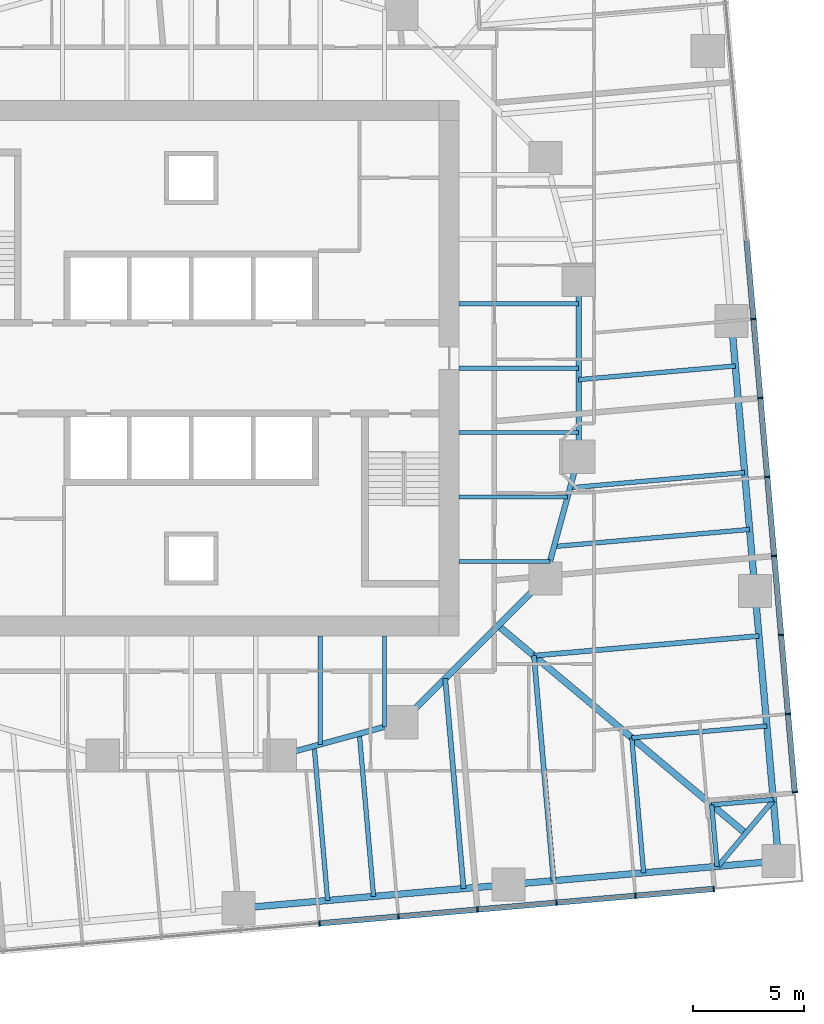
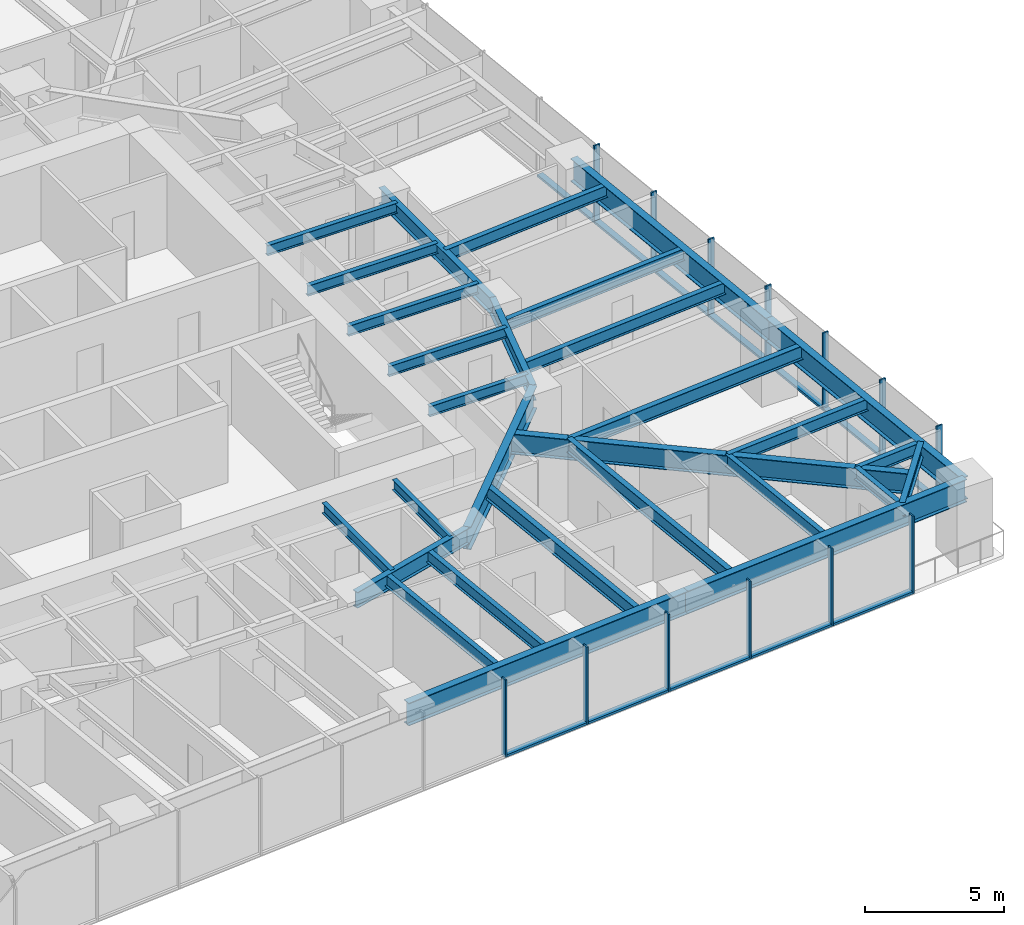
# One storey, part 4 of 14: 29 beams, 25 members, 2 elements without a shape of their own.
"""IFC4 building model written with IfcOpenShell, lengths in metres."""

from ifc_helpers import new_model, si_unit, direction, frame, origin, origin_2d, place, context, subcontext, project, spatial, rectangle, i_section, extrude, material, material_profile, profile_set, type_object, element, aggregate, save


model = new_model("IFC4")

# Units and contexts
model_context = context("Model", 3, precision=1e-05, world=origin(), true_north=direction((0.0, 1.0)))
body_context = subcontext(model_context, "Body", "Model", "MODEL_VIEW")
ifc_project = project(units=[si_unit("LENGTHUNIT", "METRE"), si_unit("AREAUNIT", "SQUARE_METRE"), si_unit("VOLUMEUNIT", "CUBIC_METRE"), si_unit("PLANEANGLEUNIT", "RADIAN"), si_unit("MASSUNIT", "GRAM", prefix="KILO")], contexts=[model_context])

# Site, building, storey
site_placement = place(None, origin())
site = spatial("IfcSite", under=ifc_project, at=site_placement, CompositionType="ELEMENT")
building_placement = place(site_placement, origin())
building = spatial("IfcBuilding", under=site, at=building_placement, Name="Torsade Residences", CompositionType="ELEMENT")
storey_placement = place(building_placement, frame((0.0, 0.0, 67.60009765625)))
storey = spatial("IfcBuildingStorey", under=building, at=storey_placement, Name="L18", CompositionType="ELEMENT", Elevation=67.60009765625)

# Beams
ifc_material_1 = material(Name="Steel grade 300", Category="steel")
ifc_material_profile_1 = material_profile(ifc_material_1, i_section(OverallWidth=0.300048828125, OverallDepth=0.89990234375, WebThickness=0.011962890625, FlangeThickness=0.02490234375, at=origin_2d()), Name="900WB175")
ifc_profile_set_1 = profile_set([ifc_material_profile_1], Name="Steel grade 300")
beam_type_1 = type_object("IfcBeamType", Name="CORNER GIRDER 900WB175", PredefinedType="BEAM", material=ifc_profile_set_1)
beam_1_placement = place(storey_placement, frame((65.052490234375, 8.978515625, 2.7998046875), z_axis=(-0.766046281307, 0.642785419012, 0.0), x_axis=(-0.642785419012, -0.766046281307, 0.0)))
element("IfcBeam", 1, at=beam_1_placement, inside=storey, type_object=beam_type_1, Name="Corner girder 05 L19", PredefinedType="BEAM", context=body_context, shape_type="SweptSolid", body=[
    extrude(i_section(OverallWidth=0.300048828125, OverallDepth=0.89990234375, WebThickness=0.011962890625, FlangeThickness=0.02490234375, at=origin_2d()), origin(), (0.0, 0.0, 1.0), 14.603515625),
])
ifc_material_2 = material(Name="Steel grade 300", Category="steel")
ifc_material_profile_2 = material_profile(ifc_material_2, i_section(OverallWidth=0.22802734375, OverallDepth=0.60205078125, WebThickness=0.010498046875, FlangeThickness=0.014892578125, FilletRadius=0.013916015625, at=origin_2d()), Name="610UB101")
ifc_profile_set_2 = profile_set([ifc_material_profile_2], Name="Steel grade 300")
beam_type_2 = type_object("IfcBeamType", Name="CORNER TRIMMER 610UB101", PredefinedType="BEAM", material=ifc_profile_set_2)
beam_2_placement = place(storey_placement, frame((66.302490234375, 10.468017578125, 2.948974609375), z_axis=(-0.642804819911, -0.766030001697, 0.0), x_axis=(0.766030001697, -0.642804819911, 0.0)))
element("IfcBeam", 2, at=beam_2_placement, inside=storey, type_object=beam_type_2, Name="Corner trimmer 05 L19", PredefinedType="BEAM", context=body_context, shape_type="SweptSolid", body=[
    extrude(i_section(OverallWidth=0.22802734375, OverallDepth=0.60205078125, WebThickness=0.010498046875, FlangeThickness=0.014892578125, FilletRadius=0.013916015625, at=origin_2d()), origin(), (0.0, 0.0, 1.0), 3.88916015625),
])

# Curtain wall, members
ifc_material_3 = material(Name="Aluminium and glass", Category="aluminium")
curtain_wall_type = type_object("IfcCurtainWallType", Name="FRITTED GLASS CURTAIN WALL LOW ZONE", PredefinedType="NOTDEFINED", material=ifc_material_3)
curtain_wall_1_placement = place(storey_placement, origin())
curtain_wall_1 = element("IfcCurtainWall", 3, at=curtain_wall_1_placement, inside=storey, type_object=curtain_wall_type, Name="Curtain wall L18 face 1", PredefinedType="NOTDEFINED")
ifc_material_4 = material(Name="Aluminium mullion", Category="aluminium")
ifc_material_profile_3 = material_profile(ifc_material_4, rectangle(XDim=0.25, YDim=0.06494140625, at=origin_2d()), Name="CURTAIN WALL MULLION 250x65")
ifc_profile_set_3 = profile_set([ifc_material_profile_3], Name="Aluminium mullion")
member_type_1 = type_object("IfcMemberType", Name="CURTAIN WALL MULLION 250x65", PredefinedType="MULLION", material=ifc_profile_set_3)
member_1_placement = place(storey_placement, frame((45.792236328125, 4.909423828125, 0.0), z_axis=(0.0, 0.0, 1.0), x_axis=(-0.087155744208, 0.996194697964, 0.0)))
member_1 = element("IfcMember", 4, at=member_1_placement, type_object=member_type_1, Name="Mullion 8", PredefinedType="MULLION", context=body_context, shape_type="SweptSolid", body=[
    extrude(rectangle(XDim=0.25, YDim=0.06494140625, at=origin_2d()), origin(), (0.0, 0.0, 1.0), 3.39990234375),
])
member_2_placement = place(storey_placement, frame((49.36181640625, 5.2216796875, 0.0), z_axis=(0.0, 0.0, 1.0), x_axis=(-0.087155744208, 0.996194697964, 0.0)))
member_2 = element("IfcMember", 5, at=member_2_placement, type_object=member_type_1, Name="Mullion 9", PredefinedType="MULLION", context=body_context, shape_type="SweptSolid", body=[
    extrude(rectangle(XDim=0.25, YDim=0.06494140625, at=origin_2d()), origin(), (0.0, 0.0, 1.0), 3.39990234375),
])
member_3_placement = place(storey_placement, frame((52.931640625, 5.533935546875, 0.0), z_axis=(0.0, 0.0, 1.0), x_axis=(-0.087155744208, 0.996194697964, 0.0)))
member_3 = element("IfcMember", 6, at=member_3_placement, type_object=member_type_1, Name="Mullion 10", PredefinedType="MULLION", context=body_context, shape_type="SweptSolid", body=[
    extrude(rectangle(XDim=0.25, YDim=0.06494140625, at=origin_2d()), origin(), (0.0, 0.0, 1.0), 3.39990234375),
])
member_4_placement = place(storey_placement, frame((56.501220703125, 5.84619140625, 0.0), z_axis=(0.0, 0.0, 1.0), x_axis=(-0.087155744208, 0.996194697964, 0.0)))
member_4 = element("IfcMember", 7, at=member_4_placement, type_object=member_type_1, Name="Mullion 11", PredefinedType="MULLION", context=body_context, shape_type="SweptSolid", body=[
    extrude(rectangle(XDim=0.25, YDim=0.06494140625, at=origin_2d()), origin(), (0.0, 0.0, 1.0), 3.39990234375),
])
member_5_placement = place(storey_placement, frame((60.071044921875, 6.15869140625, 0.0), z_axis=(0.0, 0.0, 1.0), x_axis=(-0.087155744208, 0.996194697964, 0.0)))
member_5 = element("IfcMember", 8, at=member_5_placement, type_object=member_type_1, Name="Mullion 12", PredefinedType="MULLION", context=body_context, shape_type="SweptSolid", body=[
    extrude(rectangle(XDim=0.25, YDim=0.06494140625, at=origin_2d()), origin(), (0.0, 0.0, 1.0), 3.39990234375),
])
member_6_placement = place(storey_placement, frame((63.6083984375, 6.468017578125, 0.0), z_axis=(0.0, 0.0, 1.0), x_axis=(-0.087155744208, 0.996194697964, 0.0)))
member_6 = element("IfcMember", 9, at=member_6_placement, type_object=member_type_1, Name="Mullion 13", PredefinedType="MULLION", context=body_context, shape_type="SweptSolid", body=[
    extrude(rectangle(XDim=0.25, YDim=0.06494140625, at=origin_2d()), origin(), (0.0, 0.0, 1.0), 3.39990234375),
])

curtain_wall_2_placement = place(storey_placement, origin())
curtain_wall_2 = element("IfcCurtainWall", 10, at=curtain_wall_2_placement, inside=storey, type_object=curtain_wall_type, Name="Curtain wall L18 face 4", PredefinedType="NOTDEFINED")
member_7_placement = place(storey_placement, frame((67.27392578125, 10.836669921875, 0.0), z_axis=(0.0, 0.0, 1.0), x_axis=(-0.996194697964, -0.087155744208, 0.0)))
member_7 = element("IfcMember", 11, at=member_7_placement, type_object=member_type_1, Name="Mullion 1", PredefinedType="MULLION", context=body_context, shape_type="SweptSolid", body=[
    extrude(rectangle(XDim=0.25, YDim=0.06494140625, at=origin_2d()), origin(), (0.0, 0.0, 1.0), 3.39990234375),
])
member_8_placement = place(storey_placement, frame((66.964599609375, 14.3740234375, 0.0), z_axis=(0.0, 0.0, 1.0), x_axis=(-0.996194697964, -0.087155744208, 0.0)))
member_8 = element("IfcMember", 12, at=member_8_placement, type_object=member_type_1, Name="Mullion 2", PredefinedType="MULLION", context=body_context, shape_type="SweptSolid", body=[
    extrude(rectangle(XDim=0.25, YDim=0.06494140625, at=origin_2d()), origin(), (0.0, 0.0, 1.0), 3.39990234375),
])
member_9_placement = place(storey_placement, frame((66.652099609375, 17.943603515625, 0.0), z_axis=(0.0, 0.0, 1.0), x_axis=(-0.996194697964, -0.087155744208, 0.0)))
member_9 = element("IfcMember", 13, at=member_9_placement, type_object=member_type_1, Name="Mullion 3", PredefinedType="MULLION", context=body_context, shape_type="SweptSolid", body=[
    extrude(rectangle(XDim=0.25, YDim=0.06494140625, at=origin_2d()), origin(), (0.0, 0.0, 1.0), 3.39990234375),
])
member_10_placement = place(storey_placement, frame((66.33984375, 21.513427734375, 0.0), z_axis=(0.0, 0.0, 1.0), x_axis=(-0.996194697964, -0.087155744208, 0.0)))
member_10 = element("IfcMember", 14, at=member_10_placement, type_object=member_type_1, Name="Mullion 4", PredefinedType="MULLION", context=body_context, shape_type="SweptSolid", body=[
    extrude(rectangle(XDim=0.25, YDim=0.06494140625, at=origin_2d()), origin(), (0.0, 0.0, 1.0), 3.39990234375),
])
member_11_placement = place(storey_placement, frame((66.027587890625, 25.0830078125, 0.0), z_axis=(0.0, 0.0, 1.0), x_axis=(-0.996194697964, -0.087155744208, 0.0)))
member_11 = element("IfcMember", 15, at=member_11_placement, type_object=member_type_1, Name="Mullion 5", PredefinedType="MULLION", context=body_context, shape_type="SweptSolid", body=[
    extrude(rectangle(XDim=0.25, YDim=0.06494140625, at=origin_2d()), origin(), (0.0, 0.0, 1.0), 3.39990234375),
])
member_12_placement = place(storey_placement, frame((65.71533203125, 28.65283203125, 0.0), z_axis=(0.0, 0.0, 1.0), x_axis=(-0.996194697964, -0.087155744208, 0.0)))
member_12 = element("IfcMember", 16, at=member_12_placement, type_object=member_type_1, Name="Mullion 6", PredefinedType="MULLION", context=body_context, shape_type="SweptSolid", body=[
    extrude(rectangle(XDim=0.25, YDim=0.06494140625, at=origin_2d()), origin(), (0.0, 0.0, 1.0), 3.39990234375),
])
member_13_placement = place(storey_placement, frame((65.403076171875, 32.222412109375, 0.0), z_axis=(0.0, 0.0, 1.0), x_axis=(-0.996194697964, -0.087155744208, 0.0)))
member_13 = element("IfcMember", 17, at=member_13_placement, type_object=member_type_1, Name="Mullion 7", PredefinedType="MULLION", context=body_context, shape_type="SweptSolid", body=[
    extrude(rectangle(XDim=0.25, YDim=0.06494140625, at=origin_2d()), origin(), (0.0, 0.0, 1.0), 3.39990234375),
])

# Member
ifc_material_5 = material(Name="Aluminium transom", Category="aluminium")
ifc_material_profile_4 = material_profile(ifc_material_5, rectangle(XDim=0.25, YDim=0.10009765625, at=origin_2d()), Name="CURTAIN WALL TRANSOM 250x100")
ifc_profile_set_4 = profile_set([ifc_material_profile_4], Name="Aluminium transom")
member_type_2 = type_object("IfcMemberType", Name="CURTAIN WALL TRANSOM 250x100", PredefinedType="USERDEFINED", material=ifc_profile_set_4)
member_14_placement = place(storey_placement, frame((45.824462890625, 4.912109375, 0.0498046875), z_axis=(0.996195148363, 0.08715059597, 0.0), x_axis=(-0.08715059597, 0.996195148363, 0.0)))
member_14 = element("IfcMember", 18, at=member_14_placement, type_object=member_type_2, Name="Transom 8.1", ObjectType="TRANSOM", PredefinedType="USERDEFINED", context=body_context, shape_type="SweptSolid", body=[
    extrude(rectangle(XDim=0.25, YDim=0.10009765625, at=origin_2d()), origin(), (0.0, 0.0, 1.0), 3.5185546875),
])

member_15_placement = place(storey_placement, frame((49.394287109375, 5.224365234375, 0.0498046875), z_axis=(0.996194621295, 0.087156620531, 0.0), x_axis=(-0.087156620531, 0.996194621295, 0.0)))
member_15 = element("IfcMember", 19, at=member_15_placement, type_object=member_type_2, Name="Transom 9.1", ObjectType="TRANSOM", PredefinedType="USERDEFINED", context=body_context, shape_type="SweptSolid", body=[
    extrude(rectangle(XDim=0.25, YDim=0.10009765625, at=origin_2d()), origin(), (0.0, 0.0, 1.0), 3.518310546875),
])

member_16_placement = place(storey_placement, frame((52.9638671875, 5.536865234375, 0.0498046875), z_axis=(0.996195148363, 0.08715059597, 0.0), x_axis=(-0.08715059597, 0.996195148363, 0.0)))
member_16 = element("IfcMember", 20, at=member_16_placement, type_object=member_type_2, Name="Transom 10.1", ObjectType="TRANSOM", PredefinedType="USERDEFINED", context=body_context, shape_type="SweptSolid", body=[
    extrude(rectangle(XDim=0.25, YDim=0.10009765625, at=origin_2d()), origin(), (0.0, 0.0, 1.0), 3.5185546875),
])

member_17_placement = place(storey_placement, frame((56.53369140625, 5.84912109375, 0.0498046875), z_axis=(0.996194621295, 0.087156620531, 0.0), x_axis=(-0.087156620531, 0.996194621295, 0.0)))
member_17 = element("IfcMember", 21, at=member_17_placement, type_object=member_type_2, Name="Transom 11.1", ObjectType="TRANSOM", PredefinedType="USERDEFINED", context=body_context, shape_type="SweptSolid", body=[
    extrude(rectangle(XDim=0.25, YDim=0.10009765625, at=origin_2d()), origin(), (0.0, 0.0, 1.0), 3.518310546875),
])

member_18_placement = place(storey_placement, frame((60.103271484375, 6.161376953125, 0.0498046875), z_axis=(0.996191284475, 0.08719475177, 0.0), x_axis=(-0.08719475177, 0.996191284475, 0.0)))
member_18 = element("IfcMember", 22, at=member_18_placement, type_object=member_type_2, Name="Transom 12.1", ObjectType="TRANSOM", PredefinedType="USERDEFINED", context=body_context, shape_type="SweptSolid", body=[
    extrude(rectangle(XDim=0.25, YDim=0.10009765625, at=origin_2d()), origin(), (0.0, 0.0, 1.0), 3.48583984375),
])

aggregate(curtain_wall_1, [member_1, member_2, member_3, member_4, member_5, member_6, member_14, member_15, member_16, member_17, member_18])

member_19_placement = place(storey_placement, frame((67.271240234375, 10.869140625, 0.0498046875), z_axis=(-0.0872008357, 0.996190751941, 0.0), x_axis=(-0.996190751941, -0.0872008357, 0.0)))
member_19 = element("IfcMember", 23, at=member_19_placement, type_object=member_type_2, Name="Transom 1.1", ObjectType="TRANSOM", PredefinedType="USERDEFINED", context=body_context, shape_type="SweptSolid", body=[
    extrude(rectangle(XDim=0.25, YDim=0.10009765625, at=origin_2d()), origin(), (0.0, 0.0, 1.0), 3.485595703125),
])

member_20_placement = place(storey_placement, frame((66.961669921875, 14.40625, 0.0498046875), z_axis=(-0.08715059597, 0.996195148363, 0.0), x_axis=(-0.996195148363, -0.08715059597, 0.0)))
member_20 = element("IfcMember", 24, at=member_20_placement, type_object=member_type_2, Name="Transom 2.1", ObjectType="TRANSOM", PredefinedType="USERDEFINED", context=body_context, shape_type="SweptSolid", body=[
    extrude(rectangle(XDim=0.25, YDim=0.10009765625, at=origin_2d()), origin(), (0.0, 0.0, 1.0), 3.5185546875),
])

member_21_placement = place(storey_placement, frame((66.6494140625, 17.97607421875, 0.0498046875), z_axis=(-0.087156620531, 0.996194621295, 0.0), x_axis=(-0.996194621295, -0.087156620531, 0.0)))
member_21 = element("IfcMember", 25, at=member_21_placement, type_object=member_type_2, Name="Transom 3.1", ObjectType="TRANSOM", PredefinedType="USERDEFINED", context=body_context, shape_type="SweptSolid", body=[
    extrude(rectangle(XDim=0.25, YDim=0.10009765625, at=origin_2d()), origin(), (0.0, 0.0, 1.0), 3.518310546875),
])

member_22_placement = place(storey_placement, frame((66.337158203125, 21.545654296875, 0.0498046875), z_axis=(-0.08715059597, 0.996195148363, 0.0), x_axis=(-0.996195148363, -0.08715059597, 0.0)))
member_22 = element("IfcMember", 26, at=member_22_placement, type_object=member_type_2, Name="Transom 4.1", ObjectType="TRANSOM", PredefinedType="USERDEFINED", context=body_context, shape_type="SweptSolid", body=[
    extrude(rectangle(XDim=0.25, YDim=0.10009765625, at=origin_2d()), origin(), (0.0, 0.0, 1.0), 3.5185546875),
])

member_23_placement = place(storey_placement, frame((66.024658203125, 25.115478515625, 0.0498046875), z_axis=(-0.087156620531, 0.996194621295, 0.0), x_axis=(-0.996194621295, -0.087156620531, 0.0)))
member_23 = element("IfcMember", 27, at=member_23_placement, type_object=member_type_2, Name="Transom 5.1", ObjectType="TRANSOM", PredefinedType="USERDEFINED", context=body_context, shape_type="SweptSolid", body=[
    extrude(rectangle(XDim=0.25, YDim=0.10009765625, at=origin_2d()), origin(), (0.0, 0.0, 1.0), 3.518310546875),
])

member_24_placement = place(storey_placement, frame((65.71240234375, 28.68505859375, 0.0498046875), z_axis=(-0.08715059597, 0.996195148363, 0.0), x_axis=(-0.996195148363, -0.08715059597, 0.0)))
member_24 = element("IfcMember", 28, at=member_24_placement, type_object=member_type_2, Name="Transom 6.1", ObjectType="TRANSOM", PredefinedType="USERDEFINED", context=body_context, shape_type="SweptSolid", body=[
    extrude(rectangle(XDim=0.25, YDim=0.10009765625, at=origin_2d()), origin(), (0.0, 0.0, 1.0), 3.5185546875),
])

member_25_placement = place(storey_placement, frame((65.400146484375, 32.2548828125, 0.0498046875), z_axis=(-0.087156620531, 0.996194621295, 0.0), x_axis=(-0.996194621295, -0.087156620531, 0.0)))
member_25 = element("IfcMember", 29, at=member_25_placement, type_object=member_type_2, Name="Transom 7.1", ObjectType="TRANSOM", PredefinedType="USERDEFINED", context=body_context, shape_type="SweptSolid", body=[
    extrude(rectangle(XDim=0.25, YDim=0.10009765625, at=origin_2d()), origin(), (0.0, 0.0, 1.0), 3.518310546875),
])

aggregate(curtain_wall_2, [member_7, member_8, member_9, member_10, member_11, member_12, member_13, member_19, member_20, member_21, member_22, member_23, member_24, member_25])

# Beams
ifc_material_6 = material(Name="Steel grade 300", Category="steel")
ifc_material_profile_5 = material_profile(ifc_material_6, i_section(OverallWidth=0.300048828125, OverallDepth=1.0, WebThickness=0.01611328125, FlangeThickness=0.028076171875, at=origin_2d()), Name="1000WB215")
ifc_profile_set_5 = profile_set([ifc_material_profile_5], Name="Steel grade 300")
beam_type_3 = type_object("IfcBeamType", Name="EDGE BEAM 1000WB215", PredefinedType="SPANDREL", material=ifc_profile_set_5)
for number, where, z_axis, x_axis, name in (
    (30, (42.13525390625, 5.59326171875, 2.75), (0.996194907201, 0.08715335259, 0.0), (-0.08715335259, 0.996194907201, 0.0), "Edge beam 03 L19"),
    (31, (54.338623046875, 6.660888671875, 2.75), (0.996194907201, 0.08715335259, 0.0), (-0.08715335259, 0.996194907201, 0.0), "Edge beam 04 L19"),
    (32, (66.5419921875, 7.728515625, 2.75), (-0.08715335259, 0.996194907201, 0.0), (-0.996194907201, -0.08715335259, 0.0), "Edge beam 05 L19"),
    (33, (65.474365234375, 19.931884765625, 2.75), (-0.08715335259, 0.996194907201, 0.0), (-0.996194907201, -0.08715335259, 0.0), "Edge beam 06 L19"),
):
    element("IfcBeam", number, at=place(storey_placement, frame(where, z_axis=z_axis, x_axis=x_axis)), inside=storey, type_object=beam_type_3, Name=name, PredefinedType="SPANDREL", context=body_context, shape_type="SweptSolid", body=[
        extrude(i_section(OverallWidth=0.300048828125, OverallDepth=1.0, WebThickness=0.01611328125, FlangeThickness=0.028076171875, at=origin_2d()), origin(), (0.0, 0.0, 1.0), 12.25),
    ])
ifc_material_7 = material(Name="Steel grade 300", Category="steel")
ifc_material_profile_6 = material_profile(ifc_material_7, i_section(OverallWidth=0.18994140625, OverallDepth=0.4541015625, WebThickness=0.008544921875, FlangeThickness=0.0126953125, FilletRadius=0.011474609375, at=origin_2d()), Name="460UB67.1")
ifc_profile_set_6 = profile_set([ifc_material_profile_6], Name="Steel grade 300")
beam_type_4 = type_object("IfcBeamType", Name="INNER FLOOR BEAM 460UB67.1", PredefinedType="JOIST", material=ifc_profile_set_6)
beam_3_placement = place(storey_placement, frame((48.737548828125, 17.89990234375, 3.02294921875), z_axis=(0.0, -1.0, 0.0), x_axis=(1.0, 0.0, 0.0)))
element("IfcBeam", 34, at=beam_3_placement, inside=storey, type_object=beam_type_4, Name="Inner floor beam IS01 L19", PredefinedType="JOIST", context=body_context, shape_type="SweptSolid", body=[
    extrude(i_section(OverallWidth=0.18994140625, OverallDepth=0.4541015625, WebThickness=0.008544921875, FlangeThickness=0.0126953125, FilletRadius=0.011474609375, at=origin_2d()), origin(), (0.0, 0.0, 1.0), 4.10791015625),
])
beam_4_placement = place(storey_placement, frame((45.824951171875, 17.89990234375, 3.02294921875), z_axis=(0.0, -1.0, 0.0), x_axis=(1.0, 0.0, 0.0)))
element("IfcBeam", 35, at=beam_4_placement, inside=storey, type_object=beam_type_4, Name="Inner floor beam IS02 L19", PredefinedType="JOIST", context=body_context, shape_type="SweptSolid", body=[
    extrude(i_section(OverallWidth=0.18994140625, OverallDepth=0.4541015625, WebThickness=0.008544921875, FlangeThickness=0.0126953125, FilletRadius=0.011474609375, at=origin_2d()), origin(), (0.0, 0.0, 1.0), 4.902099609375),
])
beam_5_placement = place(storey_placement, frame((52.10009765625, 21.262451171875, 3.02294921875), z_axis=(1.0, 0.0, 0.0), x_axis=(0.0, 1.0, 0.0)))
element("IfcBeam", 36, at=beam_5_placement, inside=storey, type_object=beam_type_4, Name="Inner floor beam IE01 L19", PredefinedType="JOIST", context=body_context, shape_type="SweptSolid", body=[
    extrude(i_section(OverallWidth=0.18994140625, OverallDepth=0.4541015625, WebThickness=0.008544921875, FlangeThickness=0.0126953125, FilletRadius=0.011474609375, at=origin_2d()), origin(), (0.0, 0.0, 1.0), 4.10791015625),
])
beam_6_placement = place(storey_placement, frame((52.10009765625, 24.175048828125, 3.02294921875), z_axis=(1.0, 0.0, 0.0), x_axis=(0.0, 1.0, 0.0)))
element("IfcBeam", 37, at=beam_6_placement, inside=storey, type_object=beam_type_4, Name="Inner floor beam IE02 L19", PredefinedType="JOIST", context=body_context, shape_type="SweptSolid", body=[
    extrude(i_section(OverallWidth=0.18994140625, OverallDepth=0.4541015625, WebThickness=0.008544921875, FlangeThickness=0.0126953125, FilletRadius=0.011474609375, at=origin_2d()), origin(), (0.0, 0.0, 1.0), 4.902099609375),
])
for number, where, z_axis, x_axis, name in (
    (38, (52.10009765625, 27.08740234375, 3.02294921875), (1.0, 0.0, 0.0), (0.0, 1.0, 0.0), "Inner floor beam IE03 L19"),
    (39, (52.10009765625, 30.0, 3.02294921875), (1.0, 0.0, 0.0), (0.0, 1.0, 0.0), "Inner floor beam IE04 L19"),
    (40, (52.10009765625, 32.91259765625, 3.02294921875), (1.0, 0.0, 0.0), (0.0, 1.0, 0.0), "Inner floor beam IE05 L19"),
):
    element("IfcBeam", number, at=place(storey_placement, frame(where, z_axis=z_axis, x_axis=x_axis)), inside=storey, type_object=beam_type_4, Name=name, PredefinedType="JOIST", context=body_context, shape_type="SweptSolid", body=[
        extrude(i_section(OverallWidth=0.18994140625, OverallDepth=0.4541015625, WebThickness=0.008544921875, FlangeThickness=0.0126953125, FilletRadius=0.011474609375, at=origin_2d()), origin(), (0.0, 0.0, 1.0), 5.39990234375),
    ])
ifc_material_8 = material(Name="Steel grade 300", Category="steel")
ifc_material_profile_7 = material_profile(ifc_material_8, i_section(OverallWidth=0.300048828125, OverallDepth=1.0, WebThickness=0.01611328125, FlangeThickness=0.028076171875, at=origin_2d()), Name="1000WB215")
ifc_profile_set_7 = profile_set([ifc_material_profile_7], Name="Steel grade 300")
beam_type_5 = type_object("IfcBeamType", Name="RING CORNER GIRDER 1000WB215", PredefinedType="BEAM", material=ifc_profile_set_7)
beam_7_placement = place(storey_placement, frame((49.5, 14.0, 2.75), z_axis=(0.707106781187, 0.707106781187, 0.0), x_axis=(-0.707106781187, 0.707106781187, 0.0)))
element("IfcBeam", 41, at=beam_7_placement, inside=storey, type_object=beam_type_5, Name="Ring girder IR15 L19", PredefinedType="BEAM", context=body_context, shape_type="SweptSolid", body=[
    extrude(i_section(OverallWidth=0.300048828125, OverallDepth=1.0, WebThickness=0.01611328125, FlangeThickness=0.028076171875, at=origin_2d()), origin(), (0.0, 0.0, 1.0), 9.1923828125),
])
ifc_material_9 = material(Name="Steel grade 300", Category="steel")
ifc_material_profile_8 = material_profile(ifc_material_9, i_section(OverallWidth=0.25, OverallDepth=0.699951171875, WebThickness=0.010009765625, FlangeThickness=0.02001953125, at=origin_2d()), Name="700WB130")
ifc_profile_set_8 = profile_set([ifc_material_profile_8], Name="Steel grade 300")
beam_type_6 = type_object("IfcBeamType", Name="RING GIRDER 700WB130", PredefinedType="BEAM", material=ifc_profile_set_8)
beam_8_placement = place(storey_placement, frame((57.5, 26.0, 2.89990234375), z_axis=(0.0, 1.0, 0.0), x_axis=(-1.0, 0.0, 0.0)))
element("IfcBeam", 42, at=beam_8_placement, inside=storey, type_object=beam_type_6, Name="Ring girder IR01 L19", PredefinedType="BEAM", context=body_context, shape_type="SweptSolid", body=[
    extrude(i_section(OverallWidth=0.25, OverallDepth=0.699951171875, WebThickness=0.010009765625, FlangeThickness=0.02001953125, at=origin_2d()), origin(), (0.0, 0.0, 1.0), 8.0),
])
for number, where, z_axis, x_axis, name in (
    (43, (44.0, 12.5, 2.89990234375), (0.964763821238, 0.263117405792, 0.0), (-0.263117405792, 0.964763821238, 0.0), "Ring girder IR14 L19"),
    (44, (56.0, 20.5, 2.89990234375), (0.263117405792, 0.964763821238, 0.0), (-0.964763821238, 0.263117405792, 0.0), "Ring girder IR16 L19"),
):
    element("IfcBeam", number, at=place(storey_placement, frame(where, z_axis=z_axis, x_axis=x_axis)), inside=storey, type_object=beam_type_6, Name=name, PredefinedType="BEAM", context=body_context, shape_type="SweptSolid", body=[
        extrude(i_section(OverallWidth=0.25, OverallDepth=0.699951171875, WebThickness=0.010009765625, FlangeThickness=0.02001953125, at=origin_2d()), origin(), (0.0, 0.0, 1.0), 5.700927734375),
    ])
ifc_material_10 = material(Name="Steel grade 300", Category="steel")
ifc_material_profile_9 = material_profile(ifc_material_10, i_section(OverallWidth=0.208984375, OverallDepth=0.528076171875, WebThickness=0.009521484375, FlangeThickness=0.01318359375, FilletRadius=0.013916015625, at=origin_2d()), Name="530UB82.0")
ifc_profile_set_9 = profile_set([ifc_material_profile_9], Name="Steel grade 300")
beam_type_7 = type_object("IfcBeamType", Name="SECONDARY BEAM 530UB82.0", PredefinedType="JOIST", material=ifc_profile_set_9)
beam_9_placement = place(storey_placement, frame((46.16162109375, 5.945556640625, 2.98583984375), z_axis=(-0.087175598142, 0.99619296077, 0.0), x_axis=(-0.99619296077, -0.087175598142, 0.0)))
element("IfcBeam", 45, at=beam_9_placement, inside=storey, type_object=beam_type_7, Name="Floor beam FS07 L19", PredefinedType="JOIST", context=body_context, shape_type="SweptSolid", body=[
    extrude(i_section(OverallWidth=0.208984375, OverallDepth=0.528076171875, WebThickness=0.009521484375, FlangeThickness=0.01318359375, FilletRadius=0.013916015625, at=origin_2d()), origin(), (0.0, 0.0, 1.0), 7.004150390625),
])
beam_10_placement = place(storey_placement, frame((48.237060546875, 6.126953125, 2.98583984375), z_axis=(-0.087156282128, 0.996194650902, 0.0), x_axis=(-0.996194650902, -0.087156282128, 0.0)))
element("IfcBeam", 46, at=beam_10_placement, inside=storey, type_object=beam_type_7, Name="Floor beam FS08 L19", PredefinedType="JOIST", context=body_context, shape_type="SweptSolid", body=[
    extrude(i_section(OverallWidth=0.208984375, OverallDepth=0.528076171875, WebThickness=0.009521484375, FlangeThickness=0.01318359375, FilletRadius=0.013916015625, at=origin_2d()), origin(), (0.0, 0.0, 1.0), 7.381103515625),
])
beam_11_placement = place(storey_placement, frame((60.4404296875, 7.19482421875, 2.98583984375), z_axis=(-0.087174861801, 0.996193025206, 0.0), x_axis=(-0.996193025206, -0.087174861801, 0.0)))
element("IfcBeam", 47, at=beam_11_placement, inside=storey, type_object=beam_type_7, Name="Floor beam FS11 L19", PredefinedType="JOIST", context=body_context, shape_type="SweptSolid", body=[
    extrude(i_section(OverallWidth=0.208984375, OverallDepth=0.528076171875, WebThickness=0.009521484375, FlangeThickness=0.01318359375, FilletRadius=0.013916015625, at=origin_2d()), origin(), (0.0, 0.0, 1.0), 6.125),
])
for number, where, z_axis, x_axis, name in (
    (48, (63.760986328125, 7.4853515625, 2.98583984375), (-0.087105111923, 0.996199126418, 0.0), (-0.996199126418, -0.087105111923, 0.0), "Floor beam FS12 L19"),
    (49, (66.298828125, 10.509521484375, 2.98583984375), (-0.996199126418, -0.087105111923, 0.0), (0.087105111923, -0.996199126418, 0.0), "Floor beam FE01 L19"),
):
    element("IfcBeam", number, at=place(storey_placement, frame(where, z_axis=z_axis, x_axis=x_axis)), inside=storey, type_object=beam_type_7, Name=name, PredefinedType="JOIST", context=body_context, shape_type="SweptSolid", body=[
        extrude(i_section(OverallWidth=0.208984375, OverallDepth=0.528076171875, WebThickness=0.009521484375, FlangeThickness=0.01318359375, FilletRadius=0.013916015625, at=origin_2d()), origin(), (0.0, 0.0, 1.0), 2.79150390625),
    ])
beam_12_placement = place(storey_placement, frame((66.00830078125, 13.830322265625, 2.98583984375), z_axis=(-0.996193328106, -0.087171400335, 0.0), x_axis=(0.087171400335, -0.996193328106, 0.0)))
element("IfcBeam", 50, at=beam_12_placement, inside=storey, type_object=beam_type_7, Name="Floor beam FE02 L19", PredefinedType="JOIST", context=body_context, shape_type="SweptSolid", body=[
    extrude(i_section(OverallWidth=0.208984375, OverallDepth=0.528076171875, WebThickness=0.009521484375, FlangeThickness=0.01318359375, FilletRadius=0.013916015625, at=origin_2d()), origin(), (0.0, 0.0, 1.0), 6.125244140625),
])
beam_13_placement = place(storey_placement, frame((65.231201171875, 22.712890625, 2.98583984375), z_axis=(-0.996195539225, -0.08714612802, 0.0), x_axis=(0.08714612802, -0.996195539225, 0.0)))
element("IfcBeam", 51, at=beam_13_placement, inside=storey, type_object=beam_type_7, Name="Floor beam FE04 L19", PredefinedType="JOIST", context=body_context, shape_type="SweptSolid", body=[
    extrude(i_section(OverallWidth=0.208984375, OverallDepth=0.528076171875, WebThickness=0.009521484375, FlangeThickness=0.01318359375, FilletRadius=0.013916015625, at=origin_2d()), origin(), (0.0, 0.0, 1.0), 8.872314453125),
])
beam_14_placement = place(storey_placement, frame((65.005859375, 25.286376953125, 2.98583984375), z_axis=(-0.996194520605, -0.087157771408, 0.0), x_axis=(0.087157771408, -0.996194520605, 0.0)))
element("IfcBeam", 52, at=beam_14_placement, inside=storey, type_object=beam_type_7, Name="Floor beam FE05 L19", PredefinedType="JOIST", context=body_context, shape_type="SweptSolid", body=[
    extrude(i_section(OverallWidth=0.208984375, OverallDepth=0.528076171875, WebThickness=0.009521484375, FlangeThickness=0.01318359375, FilletRadius=0.013916015625, at=origin_2d()), origin(), (0.0, 0.0, 1.0), 7.918701171875),
])
beam_15_placement = place(storey_placement, frame((64.584716796875, 30.101318359375, 2.98583984375), z_axis=(-0.996197182094, -0.087127345813, 0.0), x_axis=(0.087127345813, -0.996197182094, 0.0)))
element("IfcBeam", 53, at=beam_15_placement, inside=storey, type_object=beam_type_7, Name="Floor beam FE06 L19", PredefinedType="JOIST", context=body_context, shape_type="SweptSolid", body=[
    extrude(i_section(OverallWidth=0.208984375, OverallDepth=0.528076171875, WebThickness=0.009521484375, FlangeThickness=0.01318359375, FilletRadius=0.013916015625, at=origin_2d()), origin(), (0.0, 0.0, 1.0), 7.11181640625),
])
ifc_material_11 = material(Name="Steel grade 300", Category="steel")
ifc_material_profile_10 = material_profile(ifc_material_11, i_section(OverallWidth=0.22900390625, OverallDepth=0.612060546875, WebThickness=0.011962890625, FlangeThickness=0.01953125, FilletRadius=0.013916015625, at=origin_2d()), Name="610UB125")
ifc_profile_set_10 = profile_set([ifc_material_profile_10], Name="Steel grade 300")
beam_type_8 = type_object("IfcBeamType", Name="SECONDARY BEAM 610UB125", PredefinedType="JOIST", material=ifc_profile_set_10)
beam_16_placement = place(storey_placement, frame((52.3046875, 6.48291015625, 2.94384765625), z_axis=(-0.087148195942, 0.996195358323, 0.0), x_axis=(-0.996195358323, -0.087148195942, 0.0)))
element("IfcBeam", 54, at=beam_16_placement, inside=storey, type_object=beam_type_8, Name="Floor beam FS09 L19", PredefinedType="JOIST", context=body_context, shape_type="SweptSolid", body=[
    extrude(i_section(OverallWidth=0.22900390625, OverallDepth=0.612060546875, WebThickness=0.011962890625, FlangeThickness=0.01953125, FilletRadius=0.013916015625, at=origin_2d()), origin(), (0.0, 0.0, 1.0), 9.527587890625),
])
for number, where, z_axis, x_axis, name in (
    (55, (56.37255859375, 6.8388671875, 2.94384765625), (-0.087149742944, 0.996195222988, 0.0), (-0.996195222988, -0.087149742944, 0.0), "Floor beam FS10 L19"),
    (56, (65.65234375, 17.89794921875, 2.94384765625), (-0.996195222988, -0.087149742944, 0.0), (0.087149742944, -0.996195222988, 0.0), "Floor beam FE03 L19"),
):
    element("IfcBeam", number, at=place(storey_placement, frame(where, z_axis=z_axis, x_axis=x_axis)), inside=storey, type_object=beam_type_8, Name=name, PredefinedType="JOIST", context=body_context, shape_type="SweptSolid", body=[
        extrude(i_section(OverallWidth=0.22900390625, OverallDepth=0.612060546875, WebThickness=0.011962890625, FlangeThickness=0.01953125, FilletRadius=0.013916015625, at=origin_2d()), origin(), (0.0, 0.0, 1.0), 10.208251953125),
    ])

save(model, "model.ifc")
